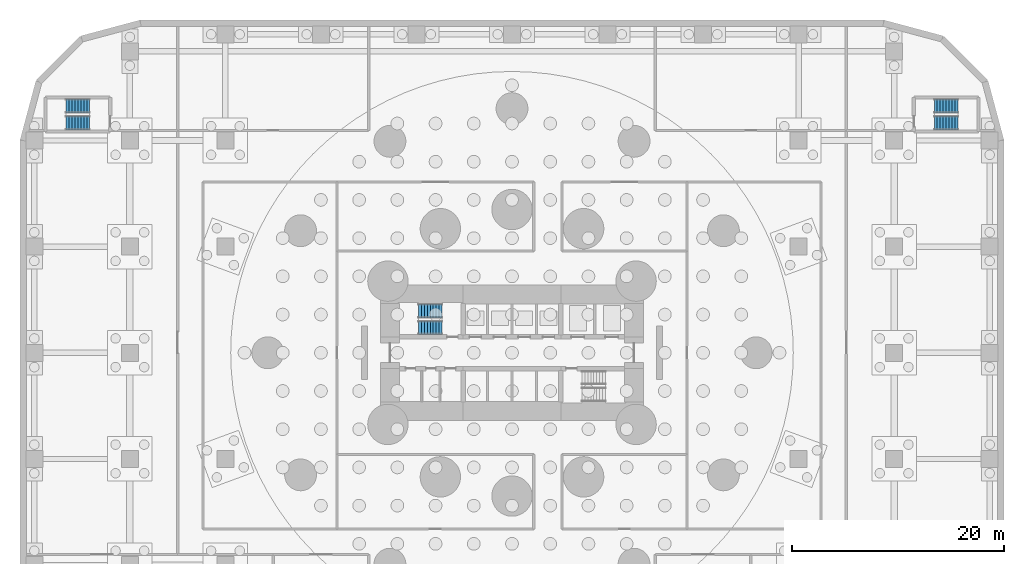
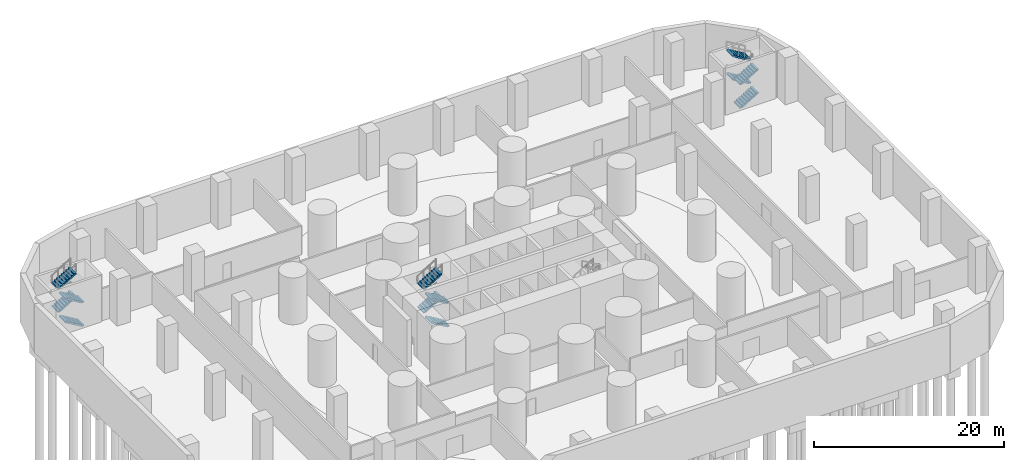
# One storey, part 8 of 10: 12 stair flights, 3 elements without a shape of their own.
"""IFC4 building model written with IfcOpenShell, lengths in metres."""

from ifc_helpers import new_model, si_unit, direction, frame, origin, place, context, subcontext, project, spatial, polyline, outline, extrude, material, type_object, element, aggregate, save


model = new_model("IFC4")

# Units and contexts
model_context = context("Model", 3, precision=1e-05, world=origin(), true_north=direction((0.0, 1.0)))
body_context = subcontext(model_context, "Body", "Model", "MODEL_VIEW")
ifc_project = project(units=[si_unit("LENGTHUNIT", "METRE"), si_unit("AREAUNIT", "SQUARE_METRE"), si_unit("VOLUMEUNIT", "CUBIC_METRE"), si_unit("PLANEANGLEUNIT", "RADIAN"), si_unit("MASSUNIT", "GRAM", prefix="KILO")], contexts=[model_context])

# Site, building, storey
site_placement = place(None, origin())
site = spatial("IfcSite", under=ifc_project, at=site_placement, CompositionType="ELEMENT")
building_placement = place(site_placement, origin())
building = spatial("IfcBuilding", under=site, at=building_placement, Name="Qaws Media Tower", CompositionType="ELEMENT")
storey_placement = place(building_placement, frame((0.0, 0.0, -6.0)))
storey = spatial("IfcBuildingStorey", under=building, at=storey_placement, Name="B1", CompositionType="ELEMENT", Elevation=-6.0)

# Stair, stair flights
ifc_material_1 = material(Name="Concrete C40/50", Category="concrete")
stair_type = type_object("IfcStairType", Name="Exit stair", PredefinedType="HALF_TURN_STAIR", material=ifc_material_1)
stair_1_placement = place(storey_placement, origin())
stair_1 = element("IfcStair", 1, at=stair_1_placement, inside=storey, type_object=stair_type, Name="S1 exit stair B1", PredefinedType="HALF_TURN_STAIR")
ifc_material_2 = material(Name="Concrete C40/50", Category="concrete")
stair_flight_type = type_object("IfcStairFlightType", Name="Stair flight 1310", PredefinedType="STRAIGHT", material=ifc_material_2)
stair_flight_1_placement = place(storey_placement, frame((53.419921875, 52.35498046875, 0.0), z_axis=(0.0, 0.0, 1.0), x_axis=(-1.0, 0.0, 0.0)))
stair_flight_1 = element("IfcStairFlight", 2, at=stair_flight_1_placement, type_object=stair_flight_type, Name="S1 flight 1", NumberOfRisers=9, NumberOfTreads=8, PredefinedType="STRAIGHT", RiserHeight=0.166666667, TreadLength=0.28, context=body_context, shape_type="SweptSolid", body=[
    extrude(outline(polyline([(0.0, 0.0), (0.0, 0.166748046875), (0.280029296875, 0.166748046875), (0.280029296875, 0.333251953125), (0.56005859375, 0.333251953125), (0.56005859375, 0.5), (0.840087890625, 0.5), (0.840087890625, 0.666748046875), (1.1201171875, 0.666748046875), (1.1201171875, 0.833251953125), (1.39990234375, 0.833251953125), (1.39990234375, 1.0), (1.679931640625, 1.0), (1.679931640625, 1.166748046875), (1.9599609375, 1.166748046875), (1.9599609375, 1.333251953125), (2.239990234375, 1.333251953125), (2.239990234375, 1.5), (2.239990234375, 1.158935546875), (0.29296875, 0.0), (0.0, 0.0)])), frame((0.0, 0.655029296875, 0.0), z_axis=(0.0, -1.0, 0.0), x_axis=(1.0, 0.0, 0.0)), (0.0, 0.0, 1.0), 1.31005859375),
])
stair_flight_2_placement = place(storey_placement, frame((51.179931640625, 53.945068359375, 1.5), z_axis=(0.0, 0.0, 1.0), x_axis=(1.0, 0.0, 0.0)))
stair_flight_2 = element("IfcStairFlight", 3, at=stair_flight_2_placement, type_object=stair_flight_type, Name="S1 flight 2", NumberOfRisers=9, NumberOfTreads=8, PredefinedType="STRAIGHT", RiserHeight=0.166666667, TreadLength=0.28, context=body_context, shape_type="SweptSolid", body=[
    extrude(outline(polyline([(0.0, 0.0), (0.0, 0.166748046875), (0.280029296875, 0.166748046875), (0.280029296875, 0.333251953125), (0.56005859375, 0.333251953125), (0.56005859375, 0.5), (0.840087890625, 0.5), (0.840087890625, 0.666748046875), (1.1201171875, 0.666748046875), (1.1201171875, 0.833251953125), (1.39990234375, 0.833251953125), (1.39990234375, 1.0), (1.679931640625, 1.0), (1.679931640625, 1.166748046875), (1.9599609375, 1.166748046875), (1.9599609375, 1.333251953125), (2.239990234375, 1.333251953125), (2.239990234375, 1.5), (2.239990234375, 1.158935546875), (0.29296875, 0.0), (0.0, 0.0)])), frame((0.0, 0.655029296875, 0.0), z_axis=(0.0, -1.0, 0.0), x_axis=(1.0, 0.0, 0.0)), (0.0, 0.0, 1.0), 1.31005859375),
])
stair_flight_3_placement = place(storey_placement, frame((53.419921875, 52.35498046875, 3.0), z_axis=(0.0, 0.0, 1.0), x_axis=(-1.0, 0.0, 0.0)))
stair_flight_3 = element("IfcStairFlight", 4, at=stair_flight_3_placement, type_object=stair_flight_type, Name="S1 flight 3", NumberOfRisers=9, NumberOfTreads=8, PredefinedType="STRAIGHT", RiserHeight=0.166666667, TreadLength=0.28, context=body_context, shape_type="SweptSolid", body=[
    extrude(outline(polyline([(0.0, 0.0), (0.0, 0.166748046875), (0.280029296875, 0.166748046875), (0.280029296875, 0.333251953125), (0.56005859375, 0.333251953125), (0.56005859375, 0.5), (0.840087890625, 0.5), (0.840087890625, 0.666748046875), (1.1201171875, 0.666748046875), (1.1201171875, 0.833251953125), (1.39990234375, 0.833251953125), (1.39990234375, 1.0), (1.679931640625, 1.0), (1.679931640625, 1.166748046875), (1.9599609375, 1.166748046875), (1.9599609375, 1.333251953125), (2.239990234375, 1.333251953125), (2.239990234375, 1.5), (2.239990234375, 1.158935546875), (0.29296875, 0.0), (0.0, 0.0)])), frame((0.0, 0.655029296875, 0.0), z_axis=(0.0, -1.0, 0.0), x_axis=(1.0, 0.0, 0.0)), (0.0, 0.0, 1.0), 1.31005859375),
])
stair_flight_4_placement = place(storey_placement, frame((51.179931640625, 53.945068359375, 4.5), z_axis=(0.0, 0.0, 1.0), x_axis=(1.0, 0.0, 0.0)))
stair_flight_4 = element("IfcStairFlight", 5, at=stair_flight_4_placement, type_object=stair_flight_type, Name="S1 flight 4", NumberOfRisers=9, NumberOfTreads=8, PredefinedType="STRAIGHT", RiserHeight=0.166666667, TreadLength=0.28, context=body_context, shape_type="SweptSolid", body=[
    extrude(outline(polyline([(0.0, 0.0), (0.0, 0.166748046875), (0.280029296875, 0.166748046875), (0.280029296875, 0.333251953125), (0.56005859375, 0.333251953125), (0.56005859375, 0.5), (0.840087890625, 0.5), (0.840087890625, 0.666748046875), (1.1201171875, 0.666748046875), (1.1201171875, 0.833251953125), (1.39990234375, 0.833251953125), (1.39990234375, 1.0), (1.679931640625, 1.0), (1.679931640625, 1.166748046875), (1.9599609375, 1.166748046875), (1.9599609375, 1.333251953125), (2.239990234375, 1.333251953125), (2.239990234375, 1.5), (2.239990234375, 1.158935546875), (0.29296875, 0.0), (0.0, 0.0)])), frame((0.0, 0.655029296875, 0.0), z_axis=(0.0, -1.0, 0.0), x_axis=(1.0, 0.0, 0.0)), (0.0, 0.0, 1.0), 1.31005859375),
])
aggregate(stair_1, [stair_flight_1, stair_flight_2, stair_flight_3, stair_flight_4])

stair_2_placement = place(storey_placement, origin())
stair_2 = element("IfcStair", 6, at=stair_2_placement, inside=storey, type_object=stair_type, Name="S3 exit stair B1", PredefinedType="HALF_TURN_STAIR")
stair_flight_5_placement = place(storey_placement, frame((20.219970703125, 71.655029296875, 0.0), z_axis=(0.0, 0.0, 1.0), x_axis=(-1.0, 0.0, 0.0)))
stair_flight_5 = element("IfcStairFlight", 7, at=stair_flight_5_placement, type_object=stair_flight_type, Name="S3 flight 1", NumberOfRisers=9, NumberOfTreads=8, PredefinedType="STRAIGHT", RiserHeight=0.166666667, TreadLength=0.28, context=body_context, shape_type="SweptSolid", body=[
    extrude(outline(polyline([(0.0, 0.0), (0.0, 0.166748046875), (0.280029296875, 0.166748046875), (0.280029296875, 0.333251953125), (0.56005859375, 0.333251953125), (0.56005859375, 0.5), (0.840087890625, 0.5), (0.840087890625, 0.666748046875), (1.1201171875, 0.666748046875), (1.1201171875, 0.833251953125), (1.39990234375, 0.833251953125), (1.39990234375, 1.0), (1.679931640625, 1.0), (1.679931640625, 1.166748046875), (1.9599609375, 1.166748046875), (1.9599609375, 1.333251953125), (2.239990234375, 1.333251953125), (2.239990234375, 1.5), (2.239990234375, 1.158935546875), (0.29296875, 0.0), (0.0, 0.0)])), frame((0.0, 0.655029296875, 0.0), z_axis=(0.0, -1.0, 0.0), x_axis=(1.0, 0.0, 0.0)), (0.0, 0.0, 1.0), 1.31005859375),
])
stair_flight_6_placement = place(storey_placement, frame((17.97998046875, 73.2451171875, 1.5), z_axis=(0.0, 0.0, 1.0), x_axis=(1.0, 0.0, 0.0)))
stair_flight_6 = element("IfcStairFlight", 8, at=stair_flight_6_placement, type_object=stair_flight_type, Name="S3 flight 2", NumberOfRisers=9, NumberOfTreads=8, PredefinedType="STRAIGHT", RiserHeight=0.166666667, TreadLength=0.28, context=body_context, shape_type="SweptSolid", body=[
    extrude(outline(polyline([(0.0, 0.0), (0.0, 0.166748046875), (0.280029296875, 0.166748046875), (0.280029296875, 0.333251953125), (0.56005859375, 0.333251953125), (0.56005859375, 0.5), (0.840087890625, 0.5), (0.840087890625, 0.666748046875), (1.1201171875, 0.666748046875), (1.1201171875, 0.833251953125), (1.39990234375, 0.833251953125), (1.39990234375, 1.0), (1.679931640625, 1.0), (1.679931640625, 1.166748046875), (1.9599609375, 1.166748046875), (1.9599609375, 1.333251953125), (2.239990234375, 1.333251953125), (2.239990234375, 1.5), (2.239990234375, 1.158935546875), (0.29296875, 0.0), (0.0, 0.0)])), frame((0.0, 0.655029296875, 0.0), z_axis=(0.0, -1.0, 0.0), x_axis=(1.0, 0.0, 0.0)), (0.0, 0.0, 1.0), 1.31005859375),
])
stair_flight_7_placement = place(storey_placement, frame((20.219970703125, 71.655029296875, 3.0), z_axis=(0.0, 0.0, 1.0), x_axis=(-1.0, 0.0, 0.0)))
stair_flight_7 = element("IfcStairFlight", 9, at=stair_flight_7_placement, type_object=stair_flight_type, Name="S3 flight 3", NumberOfRisers=9, NumberOfTreads=8, PredefinedType="STRAIGHT", RiserHeight=0.166666667, TreadLength=0.28, context=body_context, shape_type="SweptSolid", body=[
    extrude(outline(polyline([(0.0, 0.0), (0.0, 0.166748046875), (0.280029296875, 0.166748046875), (0.280029296875, 0.333251953125), (0.56005859375, 0.333251953125), (0.56005859375, 0.5), (0.840087890625, 0.5), (0.840087890625, 0.666748046875), (1.1201171875, 0.666748046875), (1.1201171875, 0.833251953125), (1.39990234375, 0.833251953125), (1.39990234375, 1.0), (1.679931640625, 1.0), (1.679931640625, 1.166748046875), (1.9599609375, 1.166748046875), (1.9599609375, 1.333251953125), (2.239990234375, 1.333251953125), (2.239990234375, 1.5), (2.239990234375, 1.158935546875), (0.29296875, 0.0), (0.0, 0.0)])), frame((0.0, 0.655029296875, 0.0), z_axis=(0.0, -1.0, 0.0), x_axis=(1.0, 0.0, 0.0)), (0.0, 0.0, 1.0), 1.31005859375),
])
stair_flight_8_placement = place(storey_placement, frame((17.97998046875, 73.2451171875, 4.5), z_axis=(0.0, 0.0, 1.0), x_axis=(1.0, 0.0, 0.0)))
stair_flight_8 = element("IfcStairFlight", 10, at=stair_flight_8_placement, type_object=stair_flight_type, Name="S3 flight 4", NumberOfRisers=9, NumberOfTreads=8, PredefinedType="STRAIGHT", RiserHeight=0.166666667, TreadLength=0.28, context=body_context, shape_type="SweptSolid", body=[
    extrude(outline(polyline([(0.0, 0.0), (0.0, 0.166748046875), (0.280029296875, 0.166748046875), (0.280029296875, 0.333251953125), (0.56005859375, 0.333251953125), (0.56005859375, 0.5), (0.840087890625, 0.5), (0.840087890625, 0.666748046875), (1.1201171875, 0.666748046875), (1.1201171875, 0.833251953125), (1.39990234375, 0.833251953125), (1.39990234375, 1.0), (1.679931640625, 1.0), (1.679931640625, 1.166748046875), (1.9599609375, 1.166748046875), (1.9599609375, 1.333251953125), (2.239990234375, 1.333251953125), (2.239990234375, 1.5), (2.239990234375, 1.158935546875), (0.29296875, 0.0), (0.0, 0.0)])), frame((0.0, 0.655029296875, 0.0), z_axis=(0.0, -1.0, 0.0), x_axis=(1.0, 0.0, 0.0)), (0.0, 0.0, 1.0), 1.31005859375),
])
aggregate(stair_2, [stair_flight_5, stair_flight_6, stair_flight_7, stair_flight_8])

stair_3_placement = place(storey_placement, origin())
stair_3 = element("IfcStair", 11, at=stair_3_placement, inside=storey, type_object=stair_type, Name="S4 exit stair B1", PredefinedType="HALF_TURN_STAIR")
stair_flight_9_placement = place(storey_placement, frame((99.780029296875, 71.655029296875, 0.0), z_axis=(0.0, 0.0, 1.0), x_axis=(1.0, 0.0, 0.0)))
stair_flight_9 = element("IfcStairFlight", 12, at=stair_flight_9_placement, type_object=stair_flight_type, Name="S4 flight 1", NumberOfRisers=9, NumberOfTreads=8, PredefinedType="STRAIGHT", RiserHeight=0.166666667, TreadLength=0.28, context=body_context, shape_type="SweptSolid", body=[
    extrude(outline(polyline([(0.0, 0.0), (0.0, 0.166748046875), (0.280029296875, 0.166748046875), (0.280029296875, 0.333251953125), (0.56005859375, 0.333251953125), (0.56005859375, 0.5), (0.840087890625, 0.5), (0.840087890625, 0.666748046875), (1.1201171875, 0.666748046875), (1.1201171875, 0.833251953125), (1.39990234375, 0.833251953125), (1.39990234375, 1.0), (1.679931640625, 1.0), (1.679931640625, 1.166748046875), (1.9599609375, 1.166748046875), (1.9599609375, 1.333251953125), (2.239990234375, 1.333251953125), (2.239990234375, 1.5), (2.239990234375, 1.158935546875), (0.29296875, 0.0), (0.0, 0.0)])), frame((0.0, 0.655029296875, 0.0), z_axis=(0.0, -1.0, 0.0), x_axis=(1.0, 0.0, 0.0)), (0.0, 0.0, 1.0), 1.31005859375),
])
stair_flight_10_placement = place(storey_placement, frame((102.02001953125, 73.2451171875, 1.5), z_axis=(0.0, 0.0, 1.0), x_axis=(-1.0, 0.0, 0.0)))
stair_flight_10 = element("IfcStairFlight", 13, at=stair_flight_10_placement, type_object=stair_flight_type, Name="S4 flight 2", NumberOfRisers=9, NumberOfTreads=8, PredefinedType="STRAIGHT", RiserHeight=0.166666667, TreadLength=0.28, context=body_context, shape_type="SweptSolid", body=[
    extrude(outline(polyline([(0.0, 0.0), (0.0, 0.166748046875), (0.280029296875, 0.166748046875), (0.280029296875, 0.333251953125), (0.56005859375, 0.333251953125), (0.56005859375, 0.5), (0.840087890625, 0.5), (0.840087890625, 0.666748046875), (1.1201171875, 0.666748046875), (1.1201171875, 0.833251953125), (1.39990234375, 0.833251953125), (1.39990234375, 1.0), (1.679931640625, 1.0), (1.679931640625, 1.166748046875), (1.9599609375, 1.166748046875), (1.9599609375, 1.333251953125), (2.239990234375, 1.333251953125), (2.239990234375, 1.5), (2.239990234375, 1.158935546875), (0.29296875, 0.0), (0.0, 0.0)])), frame((0.0, 0.655029296875, 0.0), z_axis=(0.0, -1.0, 0.0), x_axis=(1.0, 0.0, 0.0)), (0.0, 0.0, 1.0), 1.31005859375),
])
stair_flight_11_placement = place(storey_placement, frame((99.780029296875, 71.655029296875, 3.0), z_axis=(0.0, 0.0, 1.0), x_axis=(1.0, 0.0, 0.0)))
stair_flight_11 = element("IfcStairFlight", 14, at=stair_flight_11_placement, type_object=stair_flight_type, Name="S4 flight 3", NumberOfRisers=9, NumberOfTreads=8, PredefinedType="STRAIGHT", RiserHeight=0.166666667, TreadLength=0.28, context=body_context, shape_type="SweptSolid", body=[
    extrude(outline(polyline([(0.0, 0.0), (0.0, 0.166748046875), (0.280029296875, 0.166748046875), (0.280029296875, 0.333251953125), (0.56005859375, 0.333251953125), (0.56005859375, 0.5), (0.840087890625, 0.5), (0.840087890625, 0.666748046875), (1.1201171875, 0.666748046875), (1.1201171875, 0.833251953125), (1.39990234375, 0.833251953125), (1.39990234375, 1.0), (1.679931640625, 1.0), (1.679931640625, 1.166748046875), (1.9599609375, 1.166748046875), (1.9599609375, 1.333251953125), (2.239990234375, 1.333251953125), (2.239990234375, 1.5), (2.239990234375, 1.158935546875), (0.29296875, 0.0), (0.0, 0.0)])), frame((0.0, 0.655029296875, 0.0), z_axis=(0.0, -1.0, 0.0), x_axis=(1.0, 0.0, 0.0)), (0.0, 0.0, 1.0), 1.31005859375),
])
stair_flight_12_placement = place(storey_placement, frame((102.02001953125, 73.2451171875, 4.5), z_axis=(0.0, 0.0, 1.0), x_axis=(-1.0, 0.0, 0.0)))
stair_flight_12 = element("IfcStairFlight", 15, at=stair_flight_12_placement, type_object=stair_flight_type, Name="S4 flight 4", NumberOfRisers=9, NumberOfTreads=8, PredefinedType="STRAIGHT", RiserHeight=0.166666667, TreadLength=0.28, context=body_context, shape_type="SweptSolid", body=[
    extrude(outline(polyline([(0.0, 0.0), (0.0, 0.166748046875), (0.280029296875, 0.166748046875), (0.280029296875, 0.333251953125), (0.56005859375, 0.333251953125), (0.56005859375, 0.5), (0.840087890625, 0.5), (0.840087890625, 0.666748046875), (1.1201171875, 0.666748046875), (1.1201171875, 0.833251953125), (1.39990234375, 0.833251953125), (1.39990234375, 1.0), (1.679931640625, 1.0), (1.679931640625, 1.166748046875), (1.9599609375, 1.166748046875), (1.9599609375, 1.333251953125), (2.239990234375, 1.333251953125), (2.239990234375, 1.5), (2.239990234375, 1.158935546875), (0.29296875, 0.0), (0.0, 0.0)])), frame((0.0, 0.655029296875, 0.0), z_axis=(0.0, -1.0, 0.0), x_axis=(1.0, 0.0, 0.0)), (0.0, 0.0, 1.0), 1.31005859375),
])
aggregate(stair_3, [stair_flight_9, stair_flight_10, stair_flight_11, stair_flight_12])

save(model, "model.ifc")
